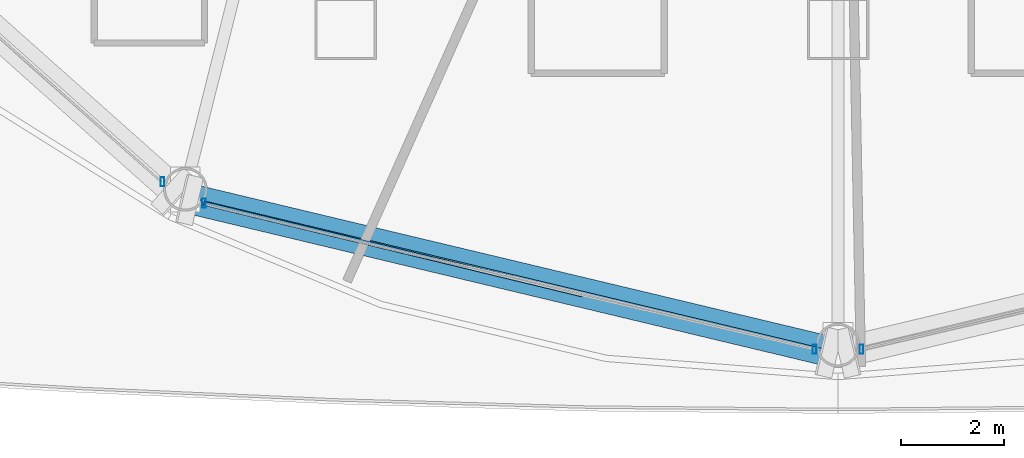
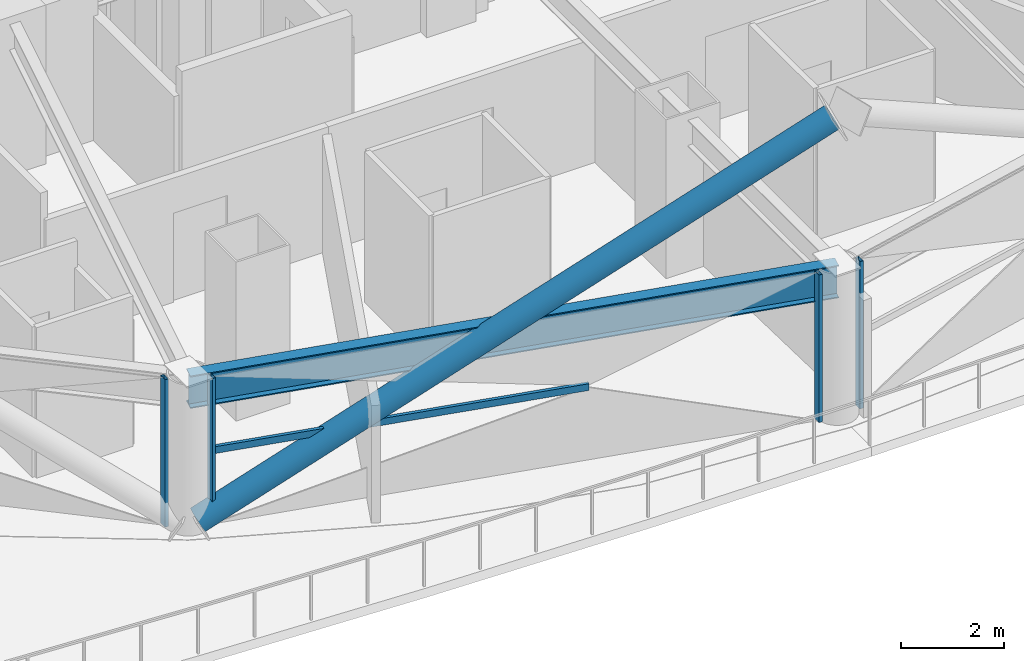
# One storey, part 3 of 27: 6 members, 1 beam, 3 elements without a shape of their own.
"""IFC4 building model written with IfcOpenShell, lengths in metres."""

from ifc_helpers import new_model, si_unit, direction, frame, origin, origin_2d, place, context, subcontext, project, spatial, hollow_rectangle, hollow_circle, i_section, extrude, material, layer, layer_set, material_profile, profile_set, type_object, element, aggregate, save


model = new_model("IFC4")

# Units and contexts
model_context = context("Model", 3, precision=1e-05, world=origin(), true_north=direction((0.0, 1.0)))
body_context = subcontext(model_context, "Body", "Model", "MODEL_VIEW")
ifc_project = project(units=[si_unit("LENGTHUNIT", "METRE"), si_unit("AREAUNIT", "SQUARE_METRE"), si_unit("VOLUMEUNIT", "CUBIC_METRE"), si_unit("PLANEANGLEUNIT", "RADIAN"), si_unit("MASSUNIT", "GRAM", prefix="KILO")], contexts=[model_context])

# Site, building, storey
site_placement = place(None, origin())
site = spatial("IfcSite", under=ifc_project, at=site_placement, CompositionType="ELEMENT")
building_placement = place(site_placement, origin())
building = spatial("IfcBuilding", under=site, at=building_placement, Name="Vantalir Tower", CompositionType="ELEMENT")
storey_placement = place(building_placement, frame((0.0, 0.0, 27.0)))
storey = spatial("IfcBuildingStorey", under=building, at=storey_placement, Name="L05", CompositionType="ELEMENT", Elevation=27.0)

# Beam
ifc_material_1 = material(Name="Steel S460", Category="steel")
ifc_material_profile_1 = material_profile(ifc_material_1, i_section(OverallWidth=0.26806640625, OverallDepth=0.77001953125, WebThickness=0.015625, FlangeThickness=0.025390625, at=origin_2d()), Name="Steel S460")
ifc_profile_set_1 = profile_set([ifc_material_profile_1], Name="Steel S460")
beam_type = type_object("IfcBeamType", Name="BM-RG-762x267", PredefinedType="USERDEFINED", material=ifc_profile_set_1)
beam_placement = place(storey_placement, frame((18.77490234375, 5.3720703125, 3.18505859375), z_axis=(0.972696777879, -0.232079680935, 0.0), x_axis=(0.232079680935, 0.972696777879, 0.0)))
element("IfcBeam", 1, at=beam_placement, inside=storey, type_object=beam_type, Name="L05 Circumferential Ring Girder 09", ObjectType="GIRDER", PredefinedType="USERDEFINED", context=body_context, shape_type="SweptSolid", body=[
    extrude(i_section(OverallWidth=0.26806640625, OverallDepth=0.77001953125, WebThickness=0.015625, FlangeThickness=0.025390625, at=origin_2d()), origin(), (0.0, 0.0, 1.0), 13.082275390625),
])

# Curtain wall, member
ifc_material_2 = material(Name="Champagne-silver PVDF aluminium and double-silver Low-E glass", Category="aluminium")
ifc_layer = layer(ifc_material_2, 0.18994140625)
ifc_layer_set = layer_set([ifc_layer], Name="Champagne-silver PVDF aluminium and double-silver Low-E glass")
curtain_wall_type = type_object("IfcCurtainWallType", Name="CW-DIAMOND-Z1", PredefinedType="USERDEFINED", material=ifc_layer_set)
curtain_wall_1_placement = place(storey_placement, origin())
curtain_wall_1 = element("IfcCurtainWall", 2, at=curtain_wall_1_placement, inside=storey, type_object=curtain_wall_type, Name="L05 Quilted Pyramid-Diamond Curtain Wall S08", ObjectType="UNITISED CURTAIN WALL", PredefinedType="USERDEFINED")
ifc_material_3 = material(Name="Champagne-silver PVDF aluminium 6063-T6", Category="aluminium")
ifc_material_profile_2 = material_profile(ifc_material_3, hollow_rectangle(XDim=0.074951171875, YDim=0.179931640625, WallThickness=0.00390625, at=origin_2d()), Name="Champagne-silver PVDF aluminium 6063-T6")
ifc_profile_set_2 = profile_set([ifc_material_profile_2], Name="Champagne-silver PVDF aluminium 6063-T6")
member_type_1 = type_object("IfcMemberType", Name="CWM-180x75", PredefinedType="MULLION", material=ifc_profile_set_2)
member_1_placement = place(storey_placement, frame((18.3291015625, 5.52099609375, 0.044921875), z_axis=(0.0, 0.0, 1.0), x_axis=(1.0, 0.0, 0.0)))
member_1 = element("IfcMember", 3, at=member_1_placement, type_object=member_type_1, Name="CW-L05-S08 Mullion 2", PredefinedType="MULLION", context=body_context, shape_type="SweptSolid", body=[
    extrude(hollow_rectangle(XDim=0.074951171875, YDim=0.179931640625, WallThickness=0.00390625, at=origin_2d()), origin(), (0.0, 0.0, 1.0), 3.47998046875),
])
aggregate(curtain_wall_1, [member_1])

# Curtain wall, members
curtain_wall_2_placement = place(storey_placement, origin())
curtain_wall_2 = element("IfcCurtainWall", 4, at=curtain_wall_2_placement, inside=storey, type_object=curtain_wall_type, Name="L05 Quilted Pyramid-Diamond Curtain Wall S09", ObjectType="UNITISED CURTAIN WALL", PredefinedType="USERDEFINED")
member_2_placement = place(storey_placement, frame((19.136962890625, 5.09912109375, 0.044921875), z_axis=(0.0, 0.0, 1.0), x_axis=(1.0, 0.0, 0.0)))
member_2 = element("IfcMember", 5, at=member_2_placement, type_object=member_type_1, Name="CW-L05-S09 Mullion 1", PredefinedType="MULLION", context=body_context, shape_type="SweptSolid", body=[
    extrude(hollow_rectangle(XDim=0.074951171875, YDim=0.179931640625, WallThickness=0.00390625, at=origin_2d()), origin(), (0.0, 0.0, 1.0), 3.47998046875),
])
member_3_placement = place(storey_placement, frame((31.04296875, 2.2548828125, 0.044921875), z_axis=(0.0, 0.0, 1.0), x_axis=(1.0, 0.0, 0.0)))
member_3 = element("IfcMember", 6, at=member_3_placement, type_object=member_type_1, Name="CW-L05-S09 Mullion 2", PredefinedType="MULLION", context=body_context, shape_type="SweptSolid", body=[
    extrude(hollow_rectangle(XDim=0.074951171875, YDim=0.179931640625, WallThickness=0.00390625, at=origin_2d()), origin(), (0.0, 0.0, 1.0), 3.47998046875),
])

# Curtain wall, member
curtain_wall_3_placement = place(storey_placement, origin())
curtain_wall_3 = element("IfcCurtainWall", 7, at=curtain_wall_3_placement, inside=storey, type_object=curtain_wall_type, Name="L05 Quilted Pyramid-Diamond Curtain Wall S10", ObjectType="UNITISED CURTAIN WALL", PredefinedType="USERDEFINED")
member_4_placement = place(storey_placement, frame((31.95703125, 2.2548828125, 0.044921875), z_axis=(0.0, 0.0, 1.0), x_axis=(1.0, 0.0, 0.0)))
member_4 = element("IfcMember", 8, at=member_4_placement, type_object=member_type_1, Name="CW-L05-S10 Mullion 1", PredefinedType="MULLION", context=body_context, shape_type="SweptSolid", body=[
    extrude(hollow_rectangle(XDim=0.074951171875, YDim=0.179931640625, WallThickness=0.00390625, at=origin_2d()), origin(), (0.0, 0.0, 1.0), 3.47998046875),
])
aggregate(curtain_wall_3, [member_4])

# Member
ifc_material_profile_3 = material_profile(ifc_material_3, hollow_rectangle(XDim=0.074951171875, YDim=0.159912109375, WallThickness=0.00390625, at=origin_2d()), Name="Champagne-silver PVDF aluminium 6063-T6")
ifc_profile_set_3 = profile_set([ifc_material_profile_3], Name="Champagne-silver PVDF aluminium 6063-T6")
member_type_2 = type_object("IfcMemberType", Name="CWT-160x75", PredefinedType="USERDEFINED", material=ifc_profile_set_3)
member_5_placement = place(storey_placement, frame((19.136962890625, 5.09912109375, 1.784912109375), z_axis=(0.971880452812, -0.235474808506, 0.0), x_axis=(0.235474808506, 0.971880452812, 0.0)))
member_5 = element("IfcMember", 9, at=member_5_placement, type_object=member_type_2, Name="CW-L05-S09 Pyramid Fold Ridge Transom", ObjectType="TRANSOM", PredefinedType="USERDEFINED", context=body_context, shape_type="SweptSolid", body=[
    extrude(hollow_rectangle(XDim=0.074951171875, YDim=0.159912109375, WallThickness=0.00390625, at=origin_2d()), origin(), (0.0, 0.0, 1.0), 7.58935546875),
])

aggregate(curtain_wall_2, [member_2, member_3, member_5])

ifc_material_profile_4 = material_profile(ifc_material_1, hollow_circle(Radius=0.27001953125, WallThickness=0.044921875, at=origin_2d()), Name="Steel S460")
ifc_profile_set_4 = profile_set([ifc_material_profile_4], Name="Steel S460")
member_type_3 = type_object("IfcMemberType", Name="MEM-DB-540x45", PredefinedType="BRACE", material=ifc_profile_set_4)
member_6_placement = place(storey_placement, frame((18.867919921875, 5.1630859375, 0.18505859375), z_axis=(0.854681826413, -0.204133655505, 0.477334710963), x_axis=(0.232307554099, 0.972642380481, 0.0)))
element("IfcMember", 10, at=member_6_placement, inside=storey, type_object=member_type_3, Name="L05 Perimeter S460 Diagrid Brace R25L", PredefinedType="BRACE", context=body_context, shape_type="SweptSolid", body=[
    extrude(hollow_circle(Radius=0.27001953125, WallThickness=0.044921875, at=origin_2d()), origin(), (0.0, 0.0, 1.0), 14.559814453125),
])

save(model, "model.ifc")
